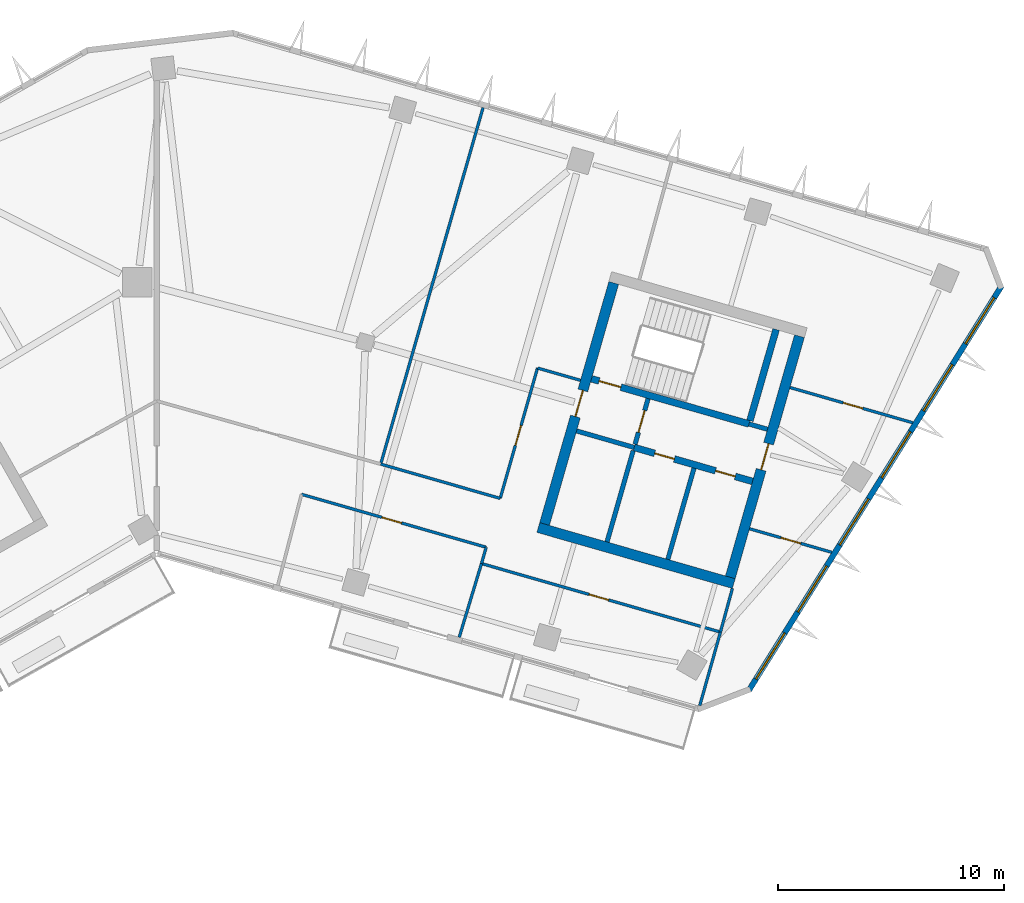
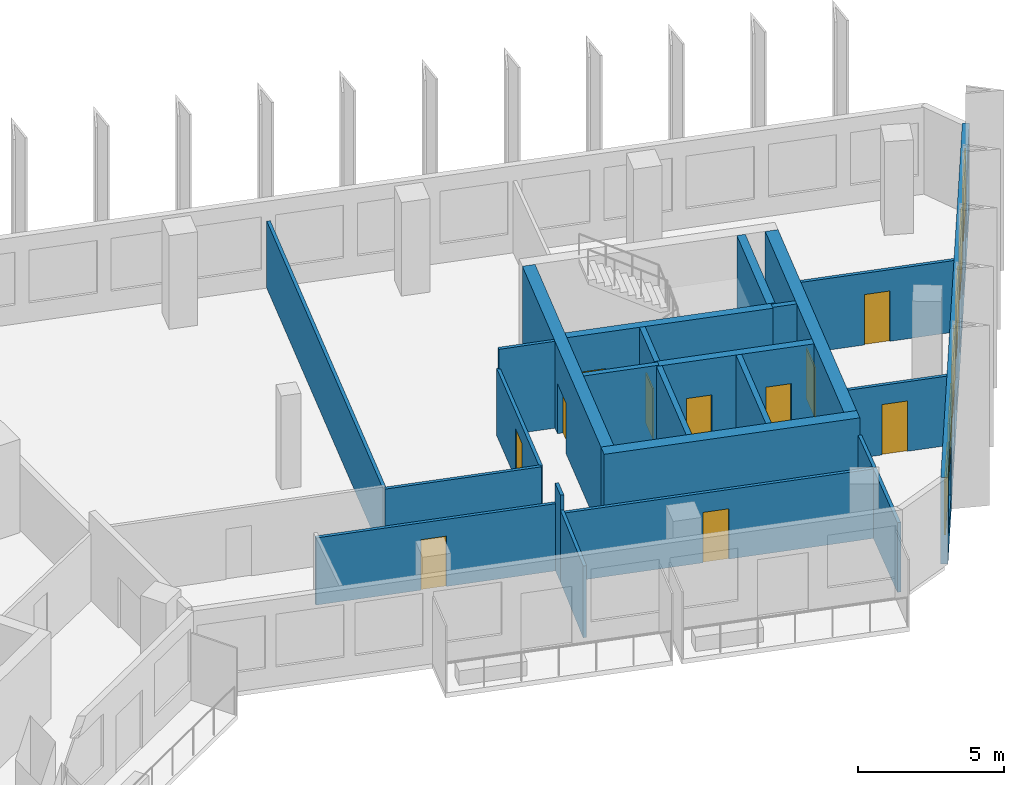
# One storey, part 7 of 11: 24 walls, 11 doors, 6 windows, 17 openings.
"""IFC4 building model written with IfcOpenShell, lengths in metres."""

from ifc_helpers import new_model, si_unit, direction, frame, frame_2d, origin, place, context, subcontext, project, spatial, rectangle, extrude, material, layer, layer_set, type_object, element, fill, save


model = new_model("IFC4")

# Units and contexts
model_context = context("Model", 3, precision=1e-05, world=origin(), true_north=direction((0.0, 1.0)))
body_context = subcontext(model_context, "Body", "Model", "MODEL_VIEW")
ifc_project = project(units=[si_unit("LENGTHUNIT", "METRE"), si_unit("AREAUNIT", "SQUARE_METRE"), si_unit("VOLUMEUNIT", "CUBIC_METRE"), si_unit("PLANEANGLEUNIT", "RADIAN"), si_unit("MASSUNIT", "GRAM", prefix="KILO")], contexts=[model_context])

# Site, building, storey
site_placement = place(None, origin())
site = spatial("IfcSite", under=ifc_project, at=site_placement, CompositionType="ELEMENT")
building_placement = place(site_placement, origin())
building = spatial("IfcBuilding", under=site, at=building_placement, Name="Binnacle Exchange Tower", CompositionType="ELEMENT")
storey_placement = place(building_placement, frame((0.0, 0.0, 207.5)))
storey = spatial("IfcBuildingStorey", under=building, at=storey_placement, Name="L45", CompositionType="ELEMENT", Elevation=207.5)

# Wall
ifc_material_1 = material(Name="Gypsum partition fire rated")
ifc_layer_1 = layer(ifc_material_1, 0.199951171875)
ifc_layer_set_1 = layer_set([ifc_layer_1], Name="Core partition 200")
wall_type_1 = type_object("IfcWallType", Name="Core partition 200", PredefinedType="PARTITIONING", material=ifc_layer_set_1)
wall_1_placement = place(storey_placement, frame((22.623291015625, 47.7392578125, 0.0), z_axis=(0.0, 0.0, 1.0), x_axis=(0.275642273411, 0.961260285827, 0.0)))
element("IfcWall", 1, at=wall_1_placement, inside=storey, type_object=wall_type_1, Name="Core wall CRWD10", PredefinedType="PARTITIONING", context=body_context, shape_type="SweptSolid", body=[
    extrude(rectangle(XDim=4.199951171875, YDim=0.199951171875, at=frame_2d((2.10009765625, 0.0))), origin(), (0.0, 0.0, 1.0), 3.6201171875),
])

# Wall, openings, doors
ifc_material_2 = material(Name="Concrete C70/85", Category="concrete")
ifc_layer_2 = layer(ifc_material_2, 0.300048828125)
ifc_layer_set_2 = layer_set([ifc_layer_2], Name="Core wall - front 300")
wall_type_2 = type_object("IfcWallType", Name="Core wall - front 300", PredefinedType="SOLIDWALL", material=ifc_layer_set_2)
wall_2_placement = place(storey_placement, frame((21.130859375, 52.6923828125, 0.0), z_axis=(0.0, 0.0, 1.0), x_axis=(0.961261488075, -0.275638080722, 0.0)))
wall_2 = element("IfcWall", 2, at=wall_2_placement, inside=storey, type_object=wall_type_2, Name="Core wall CRWD3", PredefinedType="SOLIDWALL", context=body_context, shape_type="SweptSolid", body=[
    extrude(rectangle(XDim=5.449951171875, YDim=0.300048828125, at=frame_2d((2.72509765625, 0.0))), origin(), (0.0, 0.0, 1.0), 3.6201171875),
])
opening_1_placement = place(wall_2_placement, frame((0.949951171875, 0.0, 0.0)))
opening_1 = element("IfcOpeningElement", 3, at=opening_1_placement, cuts=wall_2, Name="Opening DD10", PredefinedType="OPENING", context=body_context, shape_type="SweptSolid", body=[
    extrude(rectangle(XDim=0.89990234375, YDim=2.10009765625, at=frame_2d((0.449951171875, 1.050048828125))), frame((0.0, 0.159912109375, 0.0), z_axis=(0.0, -1.0, 0.0), x_axis=(1.0, 0.0, 0.0)), (0.0, 0.0, 1.0), 0.320068359375),
])
opening_2_placement = place(wall_2_placement, frame((3.75, 0.0, 0.0)))
opening_2 = element("IfcOpeningElement", 4, at=opening_2_placement, cuts=wall_2, Name="Opening DD11", PredefinedType="OPENING", context=body_context, shape_type="SweptSolid", body=[
    extrude(rectangle(XDim=0.89990234375, YDim=2.10009765625, at=frame_2d((0.449951171875, 1.050048828125))), frame((0.0, 0.159912109375, 0.0), z_axis=(0.0, -1.0, 0.0), x_axis=(1.0, 0.0, 0.0)), (0.0, 0.0, 1.0), 0.320068359375),
])
ifc_material_3 = material(Name="Steel door leaf", Category="steel")
door_type_1 = type_object("IfcDoorType", Name="Fire door 900", OperationType="NOTDEFINED", PredefinedType="DOOR", material=ifc_material_3)
door_1_placement = place(opening_1_placement, frame((0.89990234375, 0.0, 0.0), z_axis=(0.0, 0.0, 1.0), x_axis=(-1.0, 0.0, 0.0)))
door_1 = element("IfcDoor", 5, at=door_1_placement, inside=storey, type_object=door_type_1, Name="Core room door FIBRE ENTRY ROOM", OperationType="SINGLE_SWING_RIGHT", OverallHeight=2.10009765625, OverallWidth=0.89990234375, PredefinedType="DOOR", context=body_context, shape_type="SweptSolid", body=[
    extrude(rectangle(XDim=0.89990234375, YDim=2.10009765625, at=frame_2d((0.449951171875, 1.050048828125))), frame((0.0, 0.02490234375, 0.0), z_axis=(0.0, -1.0, 0.0), x_axis=(1.0, 0.0, 0.0)), (0.0, 0.0, 1.0), 0.050048828125),
])
fill(opening_1, door_1)
door_2_placement = place(opening_2_placement, frame((0.89990234375, 0.0, 0.0), z_axis=(0.0, 0.0, 1.0), x_axis=(-1.0, 0.0, 0.0)))
door_2 = element("IfcDoor", 6, at=door_2_placement, inside=storey, type_object=door_type_1, Name="Core room door ELECTRICAL ROOM", OperationType="SINGLE_SWING_LEFT", OverallHeight=2.10009765625, OverallWidth=0.89990234375, PredefinedType="DOOR", context=body_context, shape_type="SweptSolid", body=[
    extrude(rectangle(XDim=0.89990234375, YDim=2.10009765625, at=frame_2d((0.449951171875, 1.050048828125))), frame((0.0, 0.02490234375, 0.0), z_axis=(0.0, -1.0, 0.0), x_axis=(1.0, 0.0, 0.0)), (0.0, 0.0, 1.0), 0.050048828125),
])
fill(opening_2, door_2)

# Wall
ifc_layer_3 = layer(ifc_material_2, 0.449951171875)
ifc_layer_set_3 = layer_set([ifc_layer_3], Name="Core wall - outer 450")
wall_type_3 = type_object("IfcWallType", Name="Core wall - outer 450", PredefinedType="SOLIDWALL", material=ifc_layer_set_3)
wall_3_placement = place(storey_placement, frame((16.889892578125, 49.149169921875, 0.0), z_axis=(0.0, 0.0, 1.0), x_axis=(0.96126248289, -0.275634611374, 0.0)))
element("IfcWall", 7, at=wall_3_placement, inside=storey, type_object=wall_type_3, Name="Core wall CRWD1", PredefinedType="SOLIDWALL", context=body_context, shape_type="SweptSolid", body=[
    extrude(rectangle(XDim=9.0, YDim=0.449951171875, at=frame_2d((4.5, 0.0))), origin(), (0.0, 0.0, 1.0), 3.6201171875),
])

# Wall, opening, door
wall_4_placement = place(storey_placement, frame((17.168212890625, 49.303466796875, 0.0), z_axis=(0.0, 0.0, 1.0), x_axis=(0.275638974822, 0.961261231695, 0.0)))
wall_4 = element("IfcWall", 8, at=wall_4_placement, inside=storey, type_object=wall_type_3, Name="Core wall CRWD7", PredefinedType="SOLIDWALL", context=body_context, shape_type="SweptSolid", body=[
    extrude(rectangle(XDim=11.099853515625, YDim=0.449951171875, at=frame_2d((5.5498046875, 0.0))), origin(), (0.0, 0.0, 1.0), 3.6201171875),
])
opening_3_placement = place(wall_4_placement, frame((4.9501953125, 0.0, 0.0)))
opening_3 = element("IfcOpeningElement", 9, at=opening_3_placement, cuts=wall_4, Name="Opening DD5", PredefinedType="OPENING", context=body_context, shape_type="SweptSolid", body=[
    extrude(rectangle(XDim=1.199951171875, YDim=2.10009765625, at=frame_2d((0.60009765625, 1.050048828125))), frame((0.0, 0.23486328125, 0.0), z_axis=(0.0, -1.0, 0.0), x_axis=(1.0, 0.0, 0.0)), (0.0, 0.0, 1.0), 0.469970703125),
])
door_type_2 = type_object("IfcDoorType", Name="Fire door 1200", OperationType="NOTDEFINED", PredefinedType="DOOR", material=ifc_material_3)
door_3_placement = place(opening_3_placement, origin())
door_3 = element("IfcDoor", 10, at=door_3_placement, inside=storey, type_object=door_type_2, Name="Vestibule exit door VEST-W", OperationType="SINGLE_SWING_RIGHT", OverallHeight=2.10009765625, OverallWidth=1.199951171875, PredefinedType="DOOR", context=body_context, shape_type="SweptSolid", body=[
    extrude(rectangle(XDim=1.199951171875, YDim=2.10009765625, at=frame_2d((0.60009765625, 1.050048828125))), frame((0.0, 0.02490234375, 0.0), z_axis=(0.0, -1.0, 0.0), x_axis=(1.0, 0.0, 0.0)), (0.0, 0.0, 1.0), 0.050048828125),
])
fill(opening_3, door_3)

wall_5_placement = place(storey_placement, frame((25.386962890625, 46.94677734375, 0.0), z_axis=(0.0, 0.0, 1.0), x_axis=(0.275638974822, 0.961261231695, 0.0)))
wall_5 = element("IfcWall", 11, at=wall_5_placement, inside=storey, type_object=wall_type_3, Name="Core wall CRWD12", PredefinedType="SOLIDWALL", context=body_context, shape_type="SweptSolid", body=[
    extrude(rectangle(XDim=11.099853515625, YDim=0.449951171875, at=frame_2d((5.5498046875, 0.0))), origin(), (0.0, 0.0, 1.0), 3.6201171875),
])
opening_4_placement = place(wall_5_placement, frame((4.949951171875, 0.0, 0.0)))
opening_4 = element("IfcOpeningElement", 12, at=opening_4_placement, cuts=wall_5, Name="Opening DD6", PredefinedType="OPENING", context=body_context, shape_type="SweptSolid", body=[
    extrude(rectangle(XDim=1.199951171875, YDim=2.10009765625, at=frame_2d((0.60009765625, 1.050048828125))), frame((0.0, 0.23486328125, 0.0), z_axis=(0.0, -1.0, 0.0), x_axis=(1.0, 0.0, 0.0)), (0.0, 0.0, 1.0), 0.469970703125),
])
door_4_placement = place(opening_4_placement, frame((1.199951171875, 0.0, 0.0), z_axis=(0.0, 0.0, 1.0), x_axis=(-1.0, 0.0, 0.0)))
door_4 = element("IfcDoor", 13, at=door_4_placement, inside=storey, type_object=door_type_2, Name="Core passage exit door", OperationType="SINGLE_SWING_RIGHT", OverallHeight=2.10009765625, OverallWidth=1.199951171875, PredefinedType="DOOR", context=body_context, shape_type="SweptSolid", body=[
    extrude(rectangle(XDim=1.199951171875, YDim=2.10009765625, at=frame_2d((0.60009765625, 1.050048828125))), frame((0.0, 0.02490234375, 0.0), z_axis=(0.0, -1.0, 0.0), x_axis=(1.0, 0.0, 0.0)), (0.0, 0.0, 1.0), 0.050048828125),
])
fill(opening_4, door_4)

ifc_layer_4 = layer(ifc_material_2, 0.300048828125)
ifc_layer_set_4 = layer_set([ifc_layer_4], Name="Core wall - stair 300")
wall_type_4 = type_object("IfcWallType", Name="Core wall - stair 300", PredefinedType="SOLIDWALL", material=ifc_layer_set_4)
wall_6_placement = place(storey_placement, frame((19.2451171875, 55.72998046875, 0.0), z_axis=(0.0, 0.0, 1.0), x_axis=(0.961263007877, -0.275632780503, 0.0)))
wall_6 = element("IfcWall", 14, at=wall_6_placement, inside=storey, type_object=wall_type_4, Name="Core wall CRWD4", PredefinedType="SOLIDWALL", context=body_context, shape_type="SweptSolid", body=[
    extrude(rectangle(XDim=7.249755859375, YDim=0.300048828125, at=frame_2d((3.625, 0.0))), origin(), (0.0, 0.0, 1.0), 3.6201171875),
])
opening_5_placement = place(wall_6_placement, frame((0.35009765625, 0.0, 0.0)))
opening_5 = element("IfcOpeningElement", 15, at=opening_5_placement, cuts=wall_6, Name="Opening DD1", PredefinedType="OPENING", context=body_context, shape_type="SweptSolid", body=[
    extrude(rectangle(XDim=1.0, YDim=2.10009765625, at=frame_2d((0.5, 1.050048828125))), frame((0.0, 0.159912109375, 0.0), z_axis=(0.0, -1.0, 0.0), x_axis=(1.0, 0.0, 0.0)), (0.0, 0.0, 1.0), 0.320068359375),
])
door_type_3 = type_object("IfcDoorType", Name="Fire door 1000", OperationType="NOTDEFINED", PredefinedType="DOOR", material=ifc_material_3)
door_5_placement = place(opening_5_placement, origin())
door_5 = element("IfcDoor", 16, at=door_5_placement, inside=storey, type_object=door_type_3, Name="Stair door ST-D1", OperationType="SINGLE_SWING_LEFT", OverallHeight=2.10009765625, OverallWidth=1.0, PredefinedType="DOOR", context=body_context, shape_type="SweptSolid", body=[
    extrude(rectangle(XDim=1.0, YDim=2.10009765625, at=frame_2d((0.5, 1.050048828125))), frame((0.0, 0.02490234375, 0.0), z_axis=(0.0, -1.0, 0.0), x_axis=(1.0, 0.0, 0.0)), (0.0, 0.0, 1.0), 0.050048828125),
])
fill(opening_5, door_5)

# Wall
wall_7_placement = place(storey_placement, frame((26.255615234375, 53.875732421875, 0.0), z_axis=(0.0, 0.0, 1.0), x_axis=(0.275588560745, 0.96127568636, 0.0)))
element("IfcWall", 17, at=wall_7_placement, inside=storey, type_object=wall_type_4, Name="Core wall CRWD11", PredefinedType="SOLIDWALL", context=body_context, shape_type="SweptSolid", body=[
    extrude(rectangle(XDim=4.199951171875, YDim=0.300048828125, at=frame_2d((2.10009765625, 0.0))), origin(), (0.0, 0.0, 1.0), 3.6201171875),
])

# Wall, openings, windows
ifc_material_4 = material(Name="Bronze aluminium cladding", Category="aluminium")
ifc_layer_5 = layer(ifc_material_4, 0.25)
ifc_layer_set_5 = layer_set([ifc_layer_5], Name="External wall - window wall 250")
wall_type_5 = type_object("IfcWallType", Name="External wall - window wall 250", PredefinedType="STANDARD", material=ifc_layer_set_5)
wall_8_placement = place(storey_placement, frame((37.392333984375, 59.84033203125, 0.0), z_axis=(0.0, 0.0, 1.0), x_axis=(-0.529919909431, -0.848047692992, 0.0)))
wall_8 = element("IfcWall", 18, at=wall_8_placement, inside=storey, type_object=wall_type_5, Name="External wall EW-G04 L45", PredefinedType="STANDARD", context=body_context, shape_type="SweptSolid", body=[
    extrude(rectangle(XDim=21.104248046875, YDim=0.25, at=frame_2d((10.55224609375, 0.0))), origin(), (0.0, 0.0, 1.0), 3.6201171875),
])
opening_6_placement = place(wall_8_placement, frame((18.1123046875, 0.0, 0.800048828125)))
opening_6 = element("IfcOpeningElement", 19, at=opening_6_placement, cuts=wall_8, Name="Opening WR1", PredefinedType="OPENING", context=body_context, shape_type="SweptSolid", body=[
    extrude(rectangle(XDim=2.39990234375, YDim=2.199951171875, at=frame_2d((1.199951171875, 1.10009765625))), frame((0.0, 0.135009765625, 0.0), z_axis=(0.0, -1.0, 0.0), x_axis=(1.0, 0.0, 0.0)), (0.0, 0.0, 1.0), 0.27001953125),
])
opening_7_placement = place(wall_8_placement, frame((14.6123046875, 0.0, 0.800048828125)))
opening_7 = element("IfcOpeningElement", 20, at=opening_7_placement, cuts=wall_8, Name="Opening WR1", PredefinedType="OPENING", context=body_context, shape_type="SweptSolid", body=[
    extrude(rectangle(XDim=2.39990234375, YDim=2.199951171875, at=frame_2d((1.199951171875, 1.10009765625))), frame((0.0, 0.135009765625, 0.0), z_axis=(0.0, -1.0, 0.0), x_axis=(1.0, 0.0, 0.0)), (0.0, 0.0, 1.0), 0.27001953125),
])
opening_8_placement = place(wall_8_placement, frame((11.1123046875, 0.0, 0.800048828125)))
opening_8 = element("IfcOpeningElement", 21, at=opening_8_placement, cuts=wall_8, Name="Opening WR1", PredefinedType="OPENING", context=body_context, shape_type="SweptSolid", body=[
    extrude(rectangle(XDim=2.39990234375, YDim=2.199951171875, at=frame_2d((1.199951171875, 1.10009765625))), frame((0.0, 0.135009765625, 0.0), z_axis=(0.0, -1.0, 0.0), x_axis=(1.0, 0.0, 0.0)), (0.0, 0.0, 1.0), 0.27001953125),
])
opening_9_placement = place(wall_8_placement, frame((7.6123046875, 0.0, 0.800048828125)))
opening_9 = element("IfcOpeningElement", 22, at=opening_9_placement, cuts=wall_8, Name="Opening WR1", PredefinedType="OPENING", context=body_context, shape_type="SweptSolid", body=[
    extrude(rectangle(XDim=2.39990234375, YDim=2.199951171875, at=frame_2d((1.199951171875, 1.10009765625))), frame((0.0, 0.135009765625, 0.0), z_axis=(0.0, -1.0, 0.0), x_axis=(1.0, 0.0, 0.0)), (0.0, 0.0, 1.0), 0.27001953125),
])
opening_10_placement = place(wall_8_placement, frame((4.1123046875, 0.0, 0.800048828125)))
opening_10 = element("IfcOpeningElement", 23, at=opening_10_placement, cuts=wall_8, Name="Opening WR1", PredefinedType="OPENING", context=body_context, shape_type="SweptSolid", body=[
    extrude(rectangle(XDim=2.39990234375, YDim=2.199951171875, at=frame_2d((1.199951171875, 1.10009765625))), frame((0.0, 0.135009765625, 0.0), z_axis=(0.0, -1.0, 0.0), x_axis=(1.0, 0.0, 0.0)), (0.0, 0.0, 1.0), 0.27001953125),
])
opening_11_placement = place(wall_8_placement, frame((0.6123046875, 0.0, 0.800048828125)))
opening_11 = element("IfcOpeningElement", 24, at=opening_11_placement, cuts=wall_8, Name="Opening WR1", PredefinedType="OPENING", context=body_context, shape_type="SweptSolid", body=[
    extrude(rectangle(XDim=2.39990234375, YDim=2.199951171875, at=frame_2d((1.199951171875, 1.10009765625))), frame((0.0, 0.135009765625, 0.0), z_axis=(0.0, -1.0, 0.0), x_axis=(1.0, 0.0, 0.0)), (0.0, 0.0, 1.0), 0.27001953125),
])
ifc_material_5 = material(Name="Bronze anodised aluminium frame", Category="aluminium")
window_type = type_object("IfcWindowType", Name="WR1 WINDOW 2400x2200", PartitioningType="SINGLE_PANEL", PredefinedType="WINDOW", material=ifc_material_5)
window_1_placement = place(opening_6_placement, origin())
window_1 = element("IfcWindow", 25, at=window_1_placement, inside=storey, type_object=window_type, Name="Window WR1 L45", OverallHeight=2.199951171875, OverallWidth=2.39990234375, PartitioningType="SINGLE_PANEL", PredefinedType="WINDOW", context=body_context, shape_type="SweptSolid", body=[
    extrude(rectangle(XDim=2.39990234375, YDim=2.199951171875, at=frame_2d((1.199951171875, 1.10009765625))), frame((0.0, 0.030029296875, 0.0), z_axis=(0.0, -1.0, 0.0), x_axis=(1.0, 0.0, 0.0)), (0.0, 0.0, 1.0), 0.06005859375),
])
fill(opening_6, window_1)
window_2_placement = place(opening_7_placement, origin())
window_2 = element("IfcWindow", 26, at=window_2_placement, inside=storey, type_object=window_type, Name="Window WR1 L45", OverallHeight=2.199951171875, OverallWidth=2.39990234375, PartitioningType="SINGLE_PANEL", PredefinedType="WINDOW", context=body_context, shape_type="SweptSolid", body=[
    extrude(rectangle(XDim=2.39990234375, YDim=2.199951171875, at=frame_2d((1.199951171875, 1.10009765625))), frame((0.0, 0.030029296875, 0.0), z_axis=(0.0, -1.0, 0.0), x_axis=(1.0, 0.0, 0.0)), (0.0, 0.0, 1.0), 0.06005859375),
])
fill(opening_7, window_2)
window_3_placement = place(opening_8_placement, origin())
window_3 = element("IfcWindow", 27, at=window_3_placement, inside=storey, type_object=window_type, Name="Window WR1 L45", OverallHeight=2.199951171875, OverallWidth=2.39990234375, PartitioningType="SINGLE_PANEL", PredefinedType="WINDOW", context=body_context, shape_type="SweptSolid", body=[
    extrude(rectangle(XDim=2.39990234375, YDim=2.199951171875, at=frame_2d((1.199951171875, 1.10009765625))), frame((0.0, 0.030029296875, 0.0), z_axis=(0.0, -1.0, 0.0), x_axis=(1.0, 0.0, 0.0)), (0.0, 0.0, 1.0), 0.06005859375),
])
fill(opening_8, window_3)
window_4_placement = place(opening_9_placement, origin())
window_4 = element("IfcWindow", 28, at=window_4_placement, inside=storey, type_object=window_type, Name="Window WR1 L45", OverallHeight=2.199951171875, OverallWidth=2.39990234375, PartitioningType="SINGLE_PANEL", PredefinedType="WINDOW", context=body_context, shape_type="SweptSolid", body=[
    extrude(rectangle(XDim=2.39990234375, YDim=2.199951171875, at=frame_2d((1.199951171875, 1.10009765625))), frame((0.0, 0.030029296875, 0.0), z_axis=(0.0, -1.0, 0.0), x_axis=(1.0, 0.0, 0.0)), (0.0, 0.0, 1.0), 0.06005859375),
])
fill(opening_9, window_4)
window_5_placement = place(opening_10_placement, origin())
window_5 = element("IfcWindow", 29, at=window_5_placement, inside=storey, type_object=window_type, Name="Window WR1 L45", OverallHeight=2.199951171875, OverallWidth=2.39990234375, PartitioningType="SINGLE_PANEL", PredefinedType="WINDOW", context=body_context, shape_type="SweptSolid", body=[
    extrude(rectangle(XDim=2.39990234375, YDim=2.199951171875, at=frame_2d((1.199951171875, 1.10009765625))), frame((0.0, 0.030029296875, 0.0), z_axis=(0.0, -1.0, 0.0), x_axis=(1.0, 0.0, 0.0)), (0.0, 0.0, 1.0), 0.06005859375),
])
fill(opening_10, window_5)
window_6_placement = place(opening_11_placement, origin())
window_6 = element("IfcWindow", 30, at=window_6_placement, inside=storey, type_object=window_type, Name="Window WR1 L45", OverallHeight=2.199951171875, OverallWidth=2.39990234375, PartitioningType="SINGLE_PANEL", PredefinedType="WINDOW", context=body_context, shape_type="SweptSolid", body=[
    extrude(rectangle(XDim=2.39990234375, YDim=2.199951171875, at=frame_2d((1.199951171875, 1.10009765625))), frame((0.0, 0.030029296875, 0.0), z_axis=(0.0, -1.0, 0.0), x_axis=(1.0, 0.0, 0.0)), (0.0, 0.0, 1.0), 0.06005859375),
])
fill(opening_11, window_6)

# Wall, opening, door
ifc_material_6 = material(Name="Masonry block wall", Category="masonry")
ifc_layer_6 = layer(ifc_material_6, 0.199951171875)
ifc_layer_set_6 = layer_set([ifc_layer_6], Name="Fire wall - vestibule 200")
wall_type_6 = type_object("IfcWallType", Name="Fire wall - vestibule 200", PredefinedType="PARTITIONING", material=ifc_layer_set_6)
wall_9_placement = place(storey_placement, frame((21.172119140625, 52.836669921875, 0.0), z_axis=(0.0, 0.0, 1.0), x_axis=(0.275657676022, 0.961255868981, 0.0)))
wall_9 = element("IfcWall", 31, at=wall_9_placement, inside=storey, type_object=wall_type_6, Name="Core wall CRWD9", PredefinedType="PARTITIONING", context=body_context, shape_type="SweptSolid", body=[
    extrude(rectangle(XDim=2.099853515625, YDim=0.199951171875, at=frame_2d((1.0498046875, 0.0))), origin(), (0.0, 0.0, 1.0), 3.6201171875),
])
opening_12_placement = place(wall_9_placement, frame((0.550048828125, 0.0, 0.0)))
opening_12 = element("IfcOpeningElement", 32, at=opening_12_placement, cuts=wall_9, Name="Opening DD3", PredefinedType="OPENING", context=body_context, shape_type="SweptSolid", body=[
    extrude(rectangle(XDim=1.0, YDim=2.10009765625, at=frame_2d((0.5, 1.050048828125))), frame((0.0, 0.10986328125, 0.0), z_axis=(0.0, -1.0, 0.0), x_axis=(1.0, 0.0, 0.0)), (0.0, 0.0, 1.0), 0.219970703125),
])
door_6_placement = place(opening_12_placement, origin())
door_6 = element("IfcDoor", 33, at=door_6_placement, inside=storey, type_object=door_type_3, Name="Vestibule door VEST-W", OperationType="SINGLE_SWING_RIGHT", OverallHeight=2.10009765625, OverallWidth=1.0, PredefinedType="DOOR", context=body_context, shape_type="SweptSolid", body=[
    extrude(rectangle(XDim=1.0, YDim=2.10009765625, at=frame_2d((0.5, 1.050048828125))), frame((0.0, 0.02490234375, 0.0), z_axis=(0.0, -1.0, 0.0), x_axis=(1.0, 0.0, 0.0)), (0.0, 0.0, 1.0), 0.050048828125),
])
fill(opening_12, door_6)

ifc_material_7 = material(Name="Gypsum partition")
ifc_layer_7 = layer(ifc_material_7, 0.125)
ifc_layer_set_7 = layer_set([ifc_layer_7], Name="Partition 125")
wall_type_7 = type_object("IfcWallType", Name="Partition 125", PredefinedType="PARTITIONING", material=ifc_layer_set_7)
wall_10_placement = place(storey_placement, frame((6.4130859375, 50.618896484375, 0.0), z_axis=(0.0, 0.0, 1.0), x_axis=(0.961251402136, -0.275673252041, 0.0)))
wall_10 = element("IfcWall", 34, at=wall_10_placement, inside=storey, type_object=wall_type_7, Name="Partition W23", PredefinedType="PARTITIONING", context=body_context, shape_type="SweptSolid", body=[
    extrude(rectangle(XDim=8.499267578125, YDim=0.125, at=frame_2d((4.24951171875, 0.0))), origin(), (0.0, 0.0, 1.0), 2.800048828125),
])
opening_13_placement = place(wall_10_placement, frame((3.699951171875, 0.0, 0.0)))
opening_13 = element("IfcOpeningElement", 35, at=opening_13_placement, cuts=wall_10, Name="Opening DL45-10", PredefinedType="OPENING", context=body_context, shape_type="SweptSolid", body=[
    extrude(rectangle(XDim=0.89990234375, YDim=2.10009765625, at=frame_2d((0.449951171875, 1.050048828125))), frame((0.0, 0.072509765625, 0.0), z_axis=(0.0, -1.0, 0.0), x_axis=(1.0, 0.0, 0.0)), (0.0, 0.0, 1.0), 0.14501953125),
])
ifc_material_8 = material(Name="Timber door leaf", Category="wood")
door_type_4 = type_object("IfcDoorType", Name="Door 900", OperationType="NOTDEFINED", PredefinedType="DOOR", material=ifc_material_8)
door_7_placement = place(opening_13_placement, frame((0.89990234375, 0.0, 0.0), z_axis=(0.0, 0.0, 1.0), x_axis=(-1.0, 0.0, 0.0)))
door_7 = element("IfcDoor", 36, at=door_7_placement, inside=storey, type_object=door_type_4, Name="Door DL45-10", OperationType="SINGLE_SWING_RIGHT", OverallHeight=2.10009765625, OverallWidth=0.89990234375, PredefinedType="DOOR", context=body_context, shape_type="SweptSolid", body=[
    extrude(rectangle(XDim=0.89990234375, YDim=2.10009765625, at=frame_2d((0.449951171875, 1.050048828125))), frame((0.0, 0.02490234375, 0.0), z_axis=(0.0, -1.0, 0.0), x_axis=(1.0, 0.0, 0.0)), (0.0, 0.0, 1.0), 0.050048828125),
])
fill(opening_13, door_7)

# Walls
wall_11_placement = place(storey_placement, frame((9.9169921875, 51.955078125, 0.0), z_axis=(0.0, 0.0, 1.0), x_axis=(0.275933286704, 0.96117678982, 0.0)))
element("IfcWall", 37, at=wall_11_placement, inside=storey, type_object=wall_type_7, Name="Partition W24", PredefinedType="PARTITIONING", context=body_context, shape_type="SweptSolid", body=[
    extrude(rectangle(XDim=16.41015625, YDim=0.125, at=frame_2d((8.205078125, 0.0))), origin(), (0.0, 0.0, 1.0), 2.7919921875),
])
wall_12_placement = place(storey_placement, frame((9.9169921875, 51.955078125, 0.0), z_axis=(0.0, 0.0, 1.0), x_axis=(0.961258850611, -0.275647278458, 0.0)))
element("IfcWall", 38, at=wall_12_placement, inside=storey, type_object=wall_type_7, Name="Partition W25", PredefinedType="PARTITIONING", context=body_context, shape_type="SweptSolid", body=[
    extrude(rectangle(XDim=5.500244140625, YDim=0.125, at=frame_2d((2.75, 0.0))), origin(), (0.0, 0.0, 1.0), 2.800048828125),
])
wall_13_placement = place(storey_placement, frame((13.389892578125, 44.2900390625, 0.0), z_axis=(0.0, 0.0, 1.0), x_axis=(0.289389501276, 0.957211427299, 0.0)))
element("IfcWall", 39, at=wall_13_placement, inside=storey, type_object=wall_type_7, Name="Partition W26", PredefinedType="PARTITIONING", context=body_context, shape_type="SweptSolid", body=[
    extrude(rectangle(XDim=3.410888671875, YDim=0.125, at=frame_2d((1.70556640625, 0.0))), origin(), (0.0, 0.0, 1.0), 2.993896484375),
])
wall_14_placement = place(storey_placement, frame((14.376953125, 47.554931640625, 0.0), z_axis=(0.0, 0.0, 1.0), x_axis=(0.274807134575, 0.961499370144, 0.0)))
element("IfcWall", 40, at=wall_14_placement, inside=storey, type_object=wall_type_7, Name="Partition W27", PredefinedType="PARTITIONING", context=body_context, shape_type="SweptSolid", body=[
    extrude(rectangle(XDim=0.749755859375, YDim=0.125, at=frame_2d((0.375, 0.0))), origin(), (0.0, 0.0, 1.0), 3.6201171875),
])

# Wall, opening, door
wall_15_placement = place(storey_placement, frame((14.376953125, 47.554931640625, 0.0), z_axis=(0.0, 0.0, 1.0), x_axis=(0.961263044958, -0.275632651182, 0.0)))
wall_15 = element("IfcWall", 41, at=wall_15_placement, inside=storey, type_object=wall_type_7, Name="Partition W28", PredefinedType="PARTITIONING", context=body_context, shape_type="SweptSolid", body=[
    extrude(rectangle(XDim=11.0, YDim=0.125, at=frame_2d((5.5, 0.0))), origin(), (0.0, 0.0, 1.0), 2.89990234375),
])
opening_14_placement = place(wall_15_placement, frame((4.949951171875, 0.0, 0.0)))
opening_14 = element("IfcOpeningElement", 42, at=opening_14_placement, cuts=wall_15, Name="Opening DL45-11", PredefinedType="OPENING", context=body_context, shape_type="SweptSolid", body=[
    extrude(rectangle(XDim=0.89990234375, YDim=2.10009765625, at=frame_2d((0.449951171875, 1.050048828125))), frame((0.0, 0.072509765625, 0.0), z_axis=(0.0, -1.0, 0.0), x_axis=(1.0, 0.0, 0.0)), (0.0, 0.0, 1.0), 0.14501953125),
])
door_8_placement = place(opening_14_placement, frame((0.89990234375, 0.0, 0.0), z_axis=(0.0, 0.0, 1.0), x_axis=(-1.0, 0.0, 0.0)))
door_8 = element("IfcDoor", 43, at=door_8_placement, inside=storey, type_object=door_type_4, Name="Door DL45-11", OperationType="SINGLE_SWING_RIGHT", OverallHeight=2.10009765625, OverallWidth=0.89990234375, PredefinedType="DOOR", context=body_context, shape_type="SweptSolid", body=[
    extrude(rectangle(XDim=0.89990234375, YDim=2.10009765625, at=frame_2d((0.449951171875, 1.050048828125))), frame((0.0, 0.02490234375, 0.0), z_axis=(0.0, -1.0, 0.0), x_axis=(1.0, 0.0, 0.0)), (0.0, 0.0, 1.0), 0.050048828125),
])
fill(opening_14, door_8)

wall_16_placement = place(storey_placement, frame((15.2041015625, 50.43896484375, 0.0), z_axis=(0.0, 0.0, 1.0), x_axis=(0.275505760599, 0.961299420512, 0.0)))
wall_16 = element("IfcWall", 44, at=wall_16_placement, inside=storey, type_object=wall_type_7, Name="Partition W29", PredefinedType="PARTITIONING", context=body_context, shape_type="SweptSolid", body=[
    extrude(rectangle(XDim=5.999267578125, YDim=0.125, at=frame_2d((2.99951171875, 0.0))), origin(), (0.0, 0.0, 1.0), 2.800048828125),
])
opening_15_placement = place(wall_16_placement, frame((2.449951171875, 0.0, 0.0)))
opening_15 = element("IfcOpeningElement", 45, at=opening_15_placement, cuts=wall_16, Name="Opening DL45-09", PredefinedType="OPENING", context=body_context, shape_type="SweptSolid", body=[
    extrude(rectangle(XDim=0.89990234375, YDim=2.10009765625, at=frame_2d((0.449951171875, 1.050048828125))), frame((0.0, 0.072509765625, 0.0), z_axis=(0.0, -1.0, 0.0), x_axis=(1.0, 0.0, 0.0)), (0.0, 0.0, 1.0), 0.14501953125),
])
door_9_placement = place(opening_15_placement, origin())
door_9 = element("IfcDoor", 46, at=door_9_placement, inside=storey, type_object=door_type_4, Name="Door DL45-09", OperationType="SINGLE_SWING_LEFT", OverallHeight=2.10009765625, OverallWidth=0.89990234375, PredefinedType="DOOR", context=body_context, shape_type="SweptSolid", body=[
    extrude(rectangle(XDim=0.89990234375, YDim=2.10009765625, at=frame_2d((0.449951171875, 1.050048828125))), frame((0.0, 0.02490234375, 0.0), z_axis=(0.0, -1.0, 0.0), x_axis=(1.0, 0.0, 0.0)), (0.0, 0.0, 1.0), 0.050048828125),
])
fill(opening_15, door_9)

# Walls
wall_17_placement = place(storey_placement, frame((16.85693359375, 56.2060546875, 0.0), z_axis=(0.0, 0.0, 1.0), x_axis=(0.961383985066, -0.275210525341, 0.0)))
element("IfcWall", 47, at=wall_17_placement, inside=storey, type_object=wall_type_7, Name="Partition W30", PredefinedType="PARTITIONING", context=body_context, shape_type="SweptSolid", body=[
    extrude(rectangle(XDim=1.9765625, YDim=0.125, at=frame_2d((0.98828125, 0.0))), origin(), (0.0, 0.0, 1.0), 3.6201171875),
])
wall_18_placement = place(storey_placement, frame((24.035888671875, 41.27001953125, 0.0), z_axis=(0.0, 0.0, 1.0), x_axis=(0.270787421954, 0.962639170256, 0.0)))
element("IfcWall", 48, at=wall_18_placement, inside=storey, type_object=wall_type_7, Name="Partition W32", PredefinedType="PARTITIONING", context=body_context, shape_type="SweptSolid", body=[
    extrude(rectangle(XDim=3.379150390625, YDim=0.125, at=frame_2d((1.689453125, 0.0))), origin(), (0.0, 0.0, 1.0), 2.89990234375),
])
wall_19_placement = place(storey_placement, frame((24.950927734375, 44.52294921875, 0.0), z_axis=(0.0, 0.0, 1.0), x_axis=(0.264046927145, 0.964509834198, 0.0)))
element("IfcWall", 49, at=wall_19_placement, inside=storey, type_object=wall_type_7, Name="Partition W33", PredefinedType="PARTITIONING", context=body_context, shape_type="SweptSolid", body=[
    extrude(rectangle(XDim=2.0, YDim=0.125, at=frame_2d((1.0, 0.0))), origin(), (0.0, 0.0, 1.0), 2.89990234375),
])

# Wall, opening, door
wall_20_placement = place(storey_placement, frame((26.237060546875, 49.095947265625, 0.0), z_axis=(0.0, 0.0, 1.0), x_axis=(0.961285271066, -0.275555126304, 0.0)))
wall_20 = element("IfcWall", 50, at=wall_20_placement, inside=storey, type_object=wall_type_7, Name="Partition W34", PredefinedType="PARTITIONING", context=body_context, shape_type="SweptSolid", body=[
    extrude(rectangle(XDim=3.78857421875, YDim=0.125, at=frame_2d((1.894287109375, 0.0))), origin(), (0.0, 0.0, 1.0), 2.89990234375),
])
opening_16_placement = place(wall_20_placement, frame((1.449951171875, 0.0, 0.0)))
opening_16 = element("IfcOpeningElement", 51, at=opening_16_placement, cuts=wall_20, Name="Opening DL45-13", PredefinedType="OPENING", context=body_context, shape_type="SweptSolid", body=[
    extrude(rectangle(XDim=0.89990234375, YDim=2.10009765625, at=frame_2d((0.449951171875, 1.050048828125))), frame((0.0, 0.072509765625, 0.0), z_axis=(0.0, -1.0, 0.0), x_axis=(1.0, 0.0, 0.0)), (0.0, 0.0, 1.0), 0.14501953125),
])
door_10_placement = place(opening_16_placement, frame((0.89990234375, 0.0, 0.0), z_axis=(0.0, 0.0, 1.0), x_axis=(-1.0, 0.0, 0.0)))
door_10 = element("IfcDoor", 52, at=door_10_placement, inside=storey, type_object=door_type_4, Name="Door DL45-13", OperationType="SINGLE_SWING_LEFT", OverallHeight=2.10009765625, OverallWidth=0.89990234375, PredefinedType="DOOR", context=body_context, shape_type="SweptSolid", body=[
    extrude(rectangle(XDim=0.89990234375, YDim=2.10009765625, at=frame_2d((0.449951171875, 1.050048828125))), frame((0.0, 0.02490234375, 0.0), z_axis=(0.0, -1.0, 0.0), x_axis=(1.0, 0.0, 0.0)), (0.0, 0.0, 1.0), 0.050048828125),
])
fill(opening_16, door_10)

wall_21_placement = place(storey_placement, frame((28.029052734375, 55.343994140625, 0.0), z_axis=(0.0, 0.0, 1.0), x_axis=(0.961249621014, -0.275679462603, 0.0)))
wall_21 = element("IfcWall", 53, at=wall_21_placement, inside=storey, type_object=wall_type_7, Name="Partition W35", PredefinedType="PARTITIONING", context=body_context, shape_type="SweptSolid", body=[
    extrude(rectangle(XDim=5.65185546875, YDim=0.125, at=frame_2d((2.825927734375, 0.0))), origin(), (0.0, 0.0, 1.0), 2.988037109375),
])
opening_17_placement = place(wall_21_placement, frame((2.449951171875, 0.0, 0.0)))
opening_17 = element("IfcOpeningElement", 54, at=opening_17_placement, cuts=wall_21, Name="Opening DL45-12", PredefinedType="OPENING", context=body_context, shape_type="SweptSolid", body=[
    extrude(rectangle(XDim=0.89990234375, YDim=2.10009765625, at=frame_2d((0.449951171875, 1.050048828125))), frame((0.0, 0.072509765625, 0.0), z_axis=(0.0, -1.0, 0.0), x_axis=(1.0, 0.0, 0.0)), (0.0, 0.0, 1.0), 0.14501953125),
])
door_11_placement = place(opening_17_placement, origin())
door_11 = element("IfcDoor", 55, at=door_11_placement, inside=storey, type_object=door_type_4, Name="Door DL45-12", OperationType="SINGLE_SWING_RIGHT", OverallHeight=2.10009765625, OverallWidth=0.89990234375, PredefinedType="DOOR", context=body_context, shape_type="SweptSolid", body=[
    extrude(rectangle(XDim=0.89990234375, YDim=2.10009765625, at=frame_2d((0.449951171875, 1.050048828125))), frame((0.0, 0.02490234375, 0.0), z_axis=(0.0, -1.0, 0.0), x_axis=(1.0, 0.0, 0.0)), (0.0, 0.0, 1.0), 0.050048828125),
])
fill(opening_17, door_11)

# Walls
ifc_layer_8 = layer(ifc_material_6, 0.199951171875)
ifc_layer_set_8 = layer_set([ifc_layer_8], Name="Riser wall 200")
wall_type_8 = type_object("IfcWallType", Name="Riser wall 200", PredefinedType="SOLIDWALL", material=ifc_layer_set_8)
wall_22_placement = place(storey_placement, frame((18.58349609375, 53.4228515625, 0.0), z_axis=(0.0, 0.0, 1.0), x_axis=(0.961259287968, -0.275645753268, 0.0)))
element("IfcWall", 56, at=wall_22_placement, inside=storey, type_object=wall_type_8, Name="Core wall CRWD2", PredefinedType="SOLIDWALL", context=body_context, shape_type="SweptSolid", body=[
    extrude(rectangle(XDim=2.650146484375, YDim=0.199951171875, at=frame_2d((1.3251953125, 0.0))), origin(), (0.0, 0.0, 1.0), 3.6201171875),
])
wall_23_placement = place(storey_placement, frame((26.214111328125, 53.731689453125, 0.0), z_axis=(0.0, 0.0, 1.0), x_axis=(0.961241665642, -0.275707200184, 0.0)))
element("IfcWall", 57, at=wall_23_placement, inside=storey, type_object=wall_type_8, Name="Core wall CRWD5", PredefinedType="SOLIDWALL", context=body_context, shape_type="SweptSolid", body=[
    extrude(rectangle(XDim=0.85009765625, YDim=0.199951171875, at=frame_2d((0.425048828125, 0.0))), origin(), (0.0, 0.0, 1.0), 3.6201171875),
])
wall_24_placement = place(storey_placement, frame((19.931884765625, 48.510986328125, 0.0), z_axis=(0.0, 0.0, 1.0), x_axis=(0.275642273411, 0.961260285827, 0.0)))
element("IfcWall", 58, at=wall_24_placement, inside=storey, type_object=wall_type_8, Name="Core wall CRWD8", PredefinedType="SOLIDWALL", context=body_context, shape_type="SweptSolid", body=[
    extrude(rectangle(XDim=4.199951171875, YDim=0.199951171875, at=frame_2d((2.10009765625, 0.0))), origin(), (0.0, 0.0, 1.0), 3.6201171875),
])

save(model, "model.ifc")
